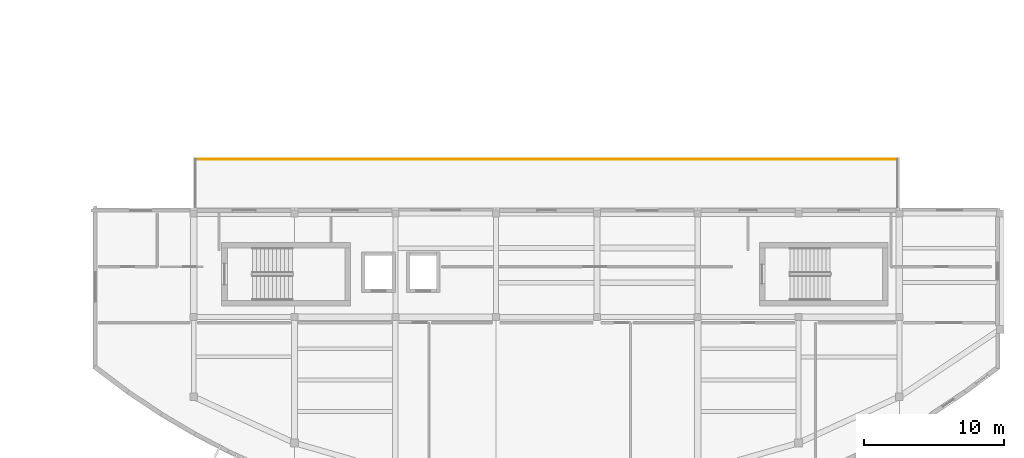
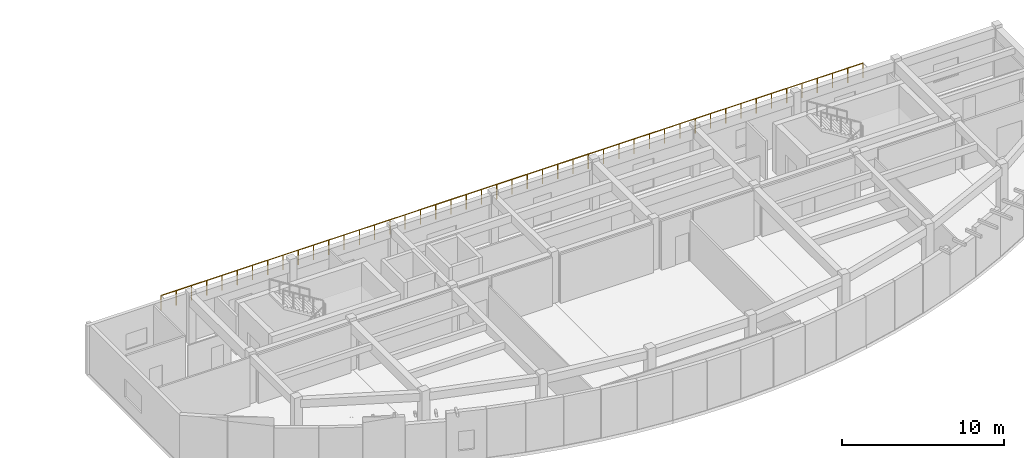
# One storey, part 10 of 11: 1 railing.
"""IFC4 building model written with IfcOpenShell, lengths in metres."""

import ifcopenshell
import ifcopenshell.guid

model = None  # the IFC model being written
_history = None  # IfcOwnerHistory: only IFC2X3 demands one
_inside = {}  # id of a spatial element -> (the spatial element, [elements in it])
_under = {}  # id of a project, library or spatial element -> (it, [spatial elements below it])
_declared = {}  # id of a project -> (the project, [libraries it declares])
_typed = {}  # id of a type object -> (the type object, [elements of that type])
_made_of = {}  # id of a material, layer set ... -> (it, [elements and type objects made of it])


def new_model(schema):
    """Start an empty IFC model of exactly this schema.

    Asked for "IFC4X3", IfcOpenShell would pick the latest addendum, in which some entities
    have other attributes; the version numbers below select the first issue.
    IFC2X3 requires an IfcOwnerHistory on every rooted entity: one is made here for all.
    """
    global model, _history
    if schema == "IFC4X3":
        model = ifcopenshell.file(schema_version=(4, 3, 0, 0))
    else:
        model = ifcopenshell.file(schema=schema)
    _inside.clear()
    _under.clear()
    _declared.clear()
    _typed.clear()
    _made_of.clear()
    _history = None
    if model.schema == "IFC2X3":
        org = make("IfcOrganization", Name="unknown")
        user = make(
            "IfcPersonAndOrganization",
            ThePerson=make("IfcPerson", FamilyName="unknown"),
            TheOrganization=org,
        )
        app = make(
            "IfcApplication",
            ApplicationDeveloper=org,
            Version="unknown",
            ApplicationFullName="unknown",
            ApplicationIdentifier="unknown",
        )
        _history = make(
            "IfcOwnerHistory",
            OwningUser=user,
            OwningApplication=app,
            ChangeAction="ADDED",
            CreationDate=0,
        )
    return model


def make(cls, **values):
    """One entity of the class cls with the attributes given. An attribute that is None is left unset."""
    return model.create_entity(
        cls, **{name: value for name, value in values.items() if value is not None}
    )


def rooted(cls, **values):
    """An entity with a GlobalId (a new one), such as an element, a storey or a relation."""
    return make(cls, GlobalId=ifcopenshell.guid.new(), OwnerHistory=_history, **values)


def si_unit(unit_type, name, prefix=None):
    """IfcSIUnit, for example si_unit("LENGTHUNIT", "METRE", prefix="MILLI")."""
    return make("IfcSIUnit", UnitType=unit_type, Prefix=prefix, Name=name)


def assignment(units):
    """IfcUnitAssignment: the units of a project."""
    return None if units is None else make("IfcUnitAssignment", Units=units)


def point(xyz):
    """IfcCartesianPoint."""
    return None if xyz is None else make("IfcCartesianPoint", Coordinates=xyz)


def direction(xyz):
    """IfcDirection."""
    return None if xyz is None else make("IfcDirection", DirectionRatios=xyz)


def frame(location, z_axis=None, x_axis=None):
    """IfcAxis2Placement3D, a coordinate frame: its origin and axes. An axis left out is left unset."""
    return make(
        "IfcAxis2Placement3D",
        Location=point(location),
        Axis=direction(z_axis),
        RefDirection=direction(x_axis),
    )


def frame_2d(location, x_axis=None):
    """IfcAxis2Placement2D, a coordinate frame in the plane: its origin and x axis."""
    return make(
        "IfcAxis2Placement2D", Location=point(location), RefDirection=direction(x_axis)
    )


def origin():
    """The frame at (0, 0, 0) with its axes left unset."""
    return frame((0.0, 0.0, 0.0))


def origin_2d():
    """The frame at (0, 0) in the plane with its x axis left unset."""
    return frame_2d((0.0, 0.0))


def place(relative_to, where):
    """IfcLocalPlacement: puts the frame where relative to a parent placement (None: the world)."""
    return make(
        "IfcLocalPlacement", PlacementRelTo=relative_to, RelativePlacement=where
    )


def context(
    kind, dimensions, precision=None, world=None, true_north=None, identifier=None
):
    """IfcGeometricRepresentationContext, for example the 3D "Model" context."""
    return make(
        "IfcGeometricRepresentationContext",
        ContextIdentifier=identifier,
        ContextType=kind,
        CoordinateSpaceDimension=dimensions,
        Precision=precision,
        WorldCoordinateSystem=world,
        TrueNorth=true_north,
    )


def subcontext(parent, identifier, kind, view, scale=None):
    """IfcGeometricRepresentationSubContext, for example "Body" below "Model"."""
    return make(
        "IfcGeometricRepresentationSubContext",
        ContextIdentifier=identifier,
        ContextType=kind,
        ParentContext=parent,
        TargetScale=scale,
        TargetView=view,
    )


def project(units=None, contexts=None):
    """IfcProject with its units and contexts."""
    return rooted(
        "IfcProject",
        Name="project",
        RepresentationContexts=contexts,
        UnitsInContext=assignment(units),
    )


def spatial(cls, under=None, at=None, **own):
    """A site, building, storey or space (cls), placed at a placement, below another one or the project."""
    s = rooted(cls, ObjectPlacement=at, **own)
    if under is not None:
        _under.setdefault(under.id(), (under, []))[1].append(s)
    return s


def profile(cls, at=None, kind="AREA", **sizes):
    """A parametric profile (cls). Its sizes go by their IFC names, for example OverallWidth=200.0."""
    return make(cls, ProfileType=kind, Position=at, **sizes)


def circle(**sizes):
    """IfcCircleProfileDef."""
    return profile("IfcCircleProfileDef", **sizes)


def extrude(swept, where, along, depth):
    """IfcExtrudedAreaSolid: the profile swept, set in the frame where, extruded along a direction by depth."""
    return make(
        "IfcExtrudedAreaSolid",
        SweptArea=swept,
        Position=where,
        ExtrudedDirection=direction(along),
        Depth=depth,
    )


def shape(context_of_items, identifier, shape_type, items):
    """IfcShapeRepresentation: the items that make up one representation, for example the "Body"."""
    return make(
        "IfcShapeRepresentation",
        ContextOfItems=context_of_items,
        RepresentationIdentifier=identifier,
        RepresentationType=shape_type,
        Items=items,
    )


def material(Name=None, Category=None):
    """IfcMaterial."""
    return make("IfcMaterial", Name=Name, Category=Category)


def made_of(thing, what):
    """Note that an element or type object is made of a material, layer set ...; save() writes the relation."""
    if what is not None:
        _made_of.setdefault(what.id(), (what, []))[1].append(thing)
    return thing


def type_object(cls, material=None, **own):
    """A type object (cls), such as IfcWallType, which elements share."""
    return made_of(rooted(cls, **own), material)


def element(
    cls,
    number,
    at=None,
    inside=None,
    cuts=None,
    type_object=None,
    material=None,
    context=None,
    identifier="Body",
    shape_type=None,
    held_by="IfcProductDefinitionShape",
    body=None,
    shapes=None,
    **own,
):
    """One element of the class cls, such as IfcWall. Its Tag is "e" and its number.

    at: its placement. inside: the storey or other place that contains it. cuts: it is an
    opening in that element (IfcRelVoidsElement). A single representation is given by context,
    identifier, shape_type and body (its items); several are given by shapes. held_by: the class
    of the entity that holds the representations. save() writes the other relations.
    """
    e = rooted(cls, Tag="e%d" % number, ObjectPlacement=at, **own)
    if body is not None:
        shapes = [shape(context, identifier, shape_type, body)]
    if shapes is not None:
        e.Representation = make(held_by, Representations=shapes)
    if inside is not None:
        _inside.setdefault(inside.id(), (inside, []))[1].append(e)
    if cuts is not None:
        rooted(
            "IfcRelVoidsElement", RelatingBuildingElement=cuts, RelatedOpeningElement=e
        )
    if type_object is not None:
        _typed.setdefault(type_object.id(), (type_object, []))[1].append(e)
    return made_of(e, material)


def aggregate(whole, parts):
    """IfcRelAggregates: a whole, such as a stair, and the parts it consists of."""
    return rooted("IfcRelAggregates", RelatingObject=whole, RelatedObjects=parts)


def save(model, path):
    """Write the relations noted so far, then the file.

    IfcRelAggregates (storeys below a building ...), IfcRelContainedInSpatialStructure (elements
    in a storey), IfcRelDefinesByType, IfcRelAssociatesMaterial and IfcRelDeclares: one each for
    every whole, place, type object, material and project.
    """
    for whole, parts in _under.values():
        aggregate(whole, parts)
    for where, things in _inside.values():
        rooted(
            "IfcRelContainedInSpatialStructure",
            RelatedElements=things,
            RelatingStructure=where,
        )
    for kind, things in _typed.values():
        rooted("IfcRelDefinesByType", RelatedObjects=things, RelatingType=kind)
    for what, things in _made_of.values():
        rooted("IfcRelAssociatesMaterial", RelatedObjects=things, RelatingMaterial=what)
    for by, libraries in _declared.values():
        rooted("IfcRelDeclares", RelatingContext=by, RelatedDefinitions=libraries)
    model.write(path)


model = new_model("IFC4")

# Units and contexts
model_context = context("Model", 3, precision=1e-05, world=origin(), true_north=direction((0.0, 1.0)))
body_context = subcontext(model_context, "Body", "Model", "MODEL_VIEW")
ifc_project = project(units=[si_unit("LENGTHUNIT", "METRE"), si_unit("AREAUNIT", "SQUARE_METRE"), si_unit("VOLUMEUNIT", "CUBIC_METRE"), si_unit("PLANEANGLEUNIT", "RADIAN"), si_unit("MASSUNIT", "GRAM", prefix="KILO")], contexts=[model_context])

# Site, building, storey
site_placement = place(None, origin())
site = spatial("IfcSite", under=ifc_project, at=site_placement, CompositionType="ELEMENT")
building_placement = place(site_placement, origin())
building = spatial("IfcBuilding", under=site, at=building_placement, Name="Brisavento Harbour Community Centre", CompositionType="ELEMENT")
storey_placement = place(building_placement, frame((0.0, 0.0, 16.800048828125)))
storey = spatial("IfcBuildingStorey", under=building, at=storey_placement, Name="L04", CompositionType="ELEMENT", Elevation=16.800048828125)

# Railing
ifc_material = material(Name="Stainless steel 1.4401", Category="steel")
railing_type = type_object("IfcRailingType", Name="RL-TER-GUARD", PredefinedType="GUARDRAIL", material=ifc_material)
railing_placement = place(storey_placement, frame((115.320068359375, 26.280029296875, 0.0)))
element("IfcRailing", 1, at=railing_placement, inside=storey, type_object=railing_type, Name="L04 Courtyard Reading Terrace north guard", PredefinedType="GUARDRAIL", context=body_context, shape_type="SweptSolid", body=[
    extrude(circle(Radius=0.02392578125, at=origin_2d()), frame((0.0, 0.0, 1.09619140625), z_axis=(1.0, 0.0, 0.0), x_axis=(0.0, 1.0, 0.0)), (0.0, 0.0, 1.0), 50.159912109375),
    extrude(circle(Radius=0.02099609375, at=origin_2d()), origin(), (0.0, 0.0, 1.0), 1.072021484375),
    extrude(circle(Radius=0.02099609375, at=origin_2d()), frame((1.09033203125, 0.0, 0.0)), (0.0, 0.0, 1.0), 1.072021484375),
    extrude(circle(Radius=0.02099609375, at=origin_2d()), frame((2.180908203125, 0.0, 0.0)), (0.0, 0.0, 1.0), 1.072021484375),
    extrude(circle(Radius=0.02099609375, at=origin_2d()), frame((3.271240234375, 0.0, 0.0)), (0.0, 0.0, 1.0), 1.072021484375),
    extrude(circle(Radius=0.02099609375, at=origin_2d()), frame((4.36181640625, 0.0, 0.0)), (0.0, 0.0, 1.0), 1.072021484375),
    extrude(circle(Radius=0.02099609375, at=origin_2d()), frame((5.4521484375, 0.0, 0.0)), (0.0, 0.0, 1.0), 1.072021484375),
    extrude(circle(Radius=0.02099609375, at=origin_2d()), frame((6.54248046875, 0.0, 0.0)), (0.0, 0.0, 1.0), 1.072021484375),
    extrude(circle(Radius=0.02099609375, at=origin_2d()), frame((7.633056640625, 0.0, 0.0)), (0.0, 0.0, 1.0), 1.072021484375),
    extrude(circle(Radius=0.02099609375, at=origin_2d()), frame((8.723388671875, 0.0, 0.0)), (0.0, 0.0, 1.0), 1.072021484375),
    extrude(circle(Radius=0.02099609375, at=origin_2d()), frame((9.81396484375, 0.0, 0.0)), (0.0, 0.0, 1.0), 1.072021484375),
    extrude(circle(Radius=0.02099609375, at=origin_2d()), frame((10.904296875, 0.0, 0.0)), (0.0, 0.0, 1.0), 1.072021484375),
    extrude(circle(Radius=0.02099609375, at=origin_2d()), frame((11.994873046875, 0.0, 0.0)), (0.0, 0.0, 1.0), 1.072021484375),
    extrude(circle(Radius=0.02099609375, at=origin_2d()), frame((13.085205078125, 0.0, 0.0)), (0.0, 0.0, 1.0), 1.072021484375),
    extrude(circle(Radius=0.02099609375, at=origin_2d()), frame((14.175537109375, 0.0, 0.0)), (0.0, 0.0, 1.0), 1.072021484375),
    extrude(circle(Radius=0.02099609375, at=origin_2d()), frame((15.26611328125, 0.0, 0.0)), (0.0, 0.0, 1.0), 1.072021484375),
    extrude(circle(Radius=0.02099609375, at=origin_2d()), frame((16.3564453125, 0.0, 0.0)), (0.0, 0.0, 1.0), 1.072021484375),
    extrude(circle(Radius=0.02099609375, at=origin_2d()), frame((17.447021484375, 0.0, 0.0)), (0.0, 0.0, 1.0), 1.072021484375),
    extrude(circle(Radius=0.02099609375, at=origin_2d()), frame((18.537353515625, 0.0, 0.0)), (0.0, 0.0, 1.0), 1.072021484375),
    extrude(circle(Radius=0.02099609375, at=origin_2d()), frame((19.627685546875, 0.0, 0.0)), (0.0, 0.0, 1.0), 1.072021484375),
    extrude(circle(Radius=0.02099609375, at=origin_2d()), frame((20.71826171875, 0.0, 0.0)), (0.0, 0.0, 1.0), 1.072021484375),
    extrude(circle(Radius=0.02099609375, at=origin_2d()), frame((21.80859375, 0.0, 0.0)), (0.0, 0.0, 1.0), 1.072021484375),
    extrude(circle(Radius=0.02099609375, at=origin_2d()), frame((22.899169921875, 0.0, 0.0)), (0.0, 0.0, 1.0), 1.072021484375),
    extrude(circle(Radius=0.02099609375, at=origin_2d()), frame((23.989501953125, 0.0, 0.0)), (0.0, 0.0, 1.0), 1.072021484375),
    extrude(circle(Radius=0.02099609375, at=origin_2d()), frame((25.080078125, 0.0, 0.0)), (0.0, 0.0, 1.0), 1.072021484375),
    extrude(circle(Radius=0.02099609375, at=origin_2d()), frame((26.17041015625, 0.0, 0.0)), (0.0, 0.0, 1.0), 1.072021484375),
    extrude(circle(Radius=0.02099609375, at=origin_2d()), frame((27.2607421875, 0.0, 0.0)), (0.0, 0.0, 1.0), 1.072021484375),
    extrude(circle(Radius=0.02099609375, at=origin_2d()), frame((28.351318359375, 0.0, 0.0)), (0.0, 0.0, 1.0), 1.072021484375),
    extrude(circle(Radius=0.02099609375, at=origin_2d()), frame((29.441650390625, 0.0, 0.0)), (0.0, 0.0, 1.0), 1.072021484375),
    extrude(circle(Radius=0.02099609375, at=origin_2d()), frame((30.5322265625, 0.0, 0.0)), (0.0, 0.0, 1.0), 1.072021484375),
    extrude(circle(Radius=0.02099609375, at=origin_2d()), frame((31.62255859375, 0.0, 0.0)), (0.0, 0.0, 1.0), 1.072021484375),
    extrude(circle(Radius=0.02099609375, at=origin_2d()), frame((32.712890625, 0.0, 0.0)), (0.0, 0.0, 1.0), 1.072021484375),
    extrude(circle(Radius=0.02099609375, at=origin_2d()), frame((33.803466796875, 0.0, 0.0)), (0.0, 0.0, 1.0), 1.072021484375),
    extrude(circle(Radius=0.02099609375, at=origin_2d()), frame((34.893798828125, 0.0, 0.0)), (0.0, 0.0, 1.0), 1.072021484375),
    extrude(circle(Radius=0.02099609375, at=origin_2d()), frame((35.984375, 0.0, 0.0)), (0.0, 0.0, 1.0), 1.072021484375),
    extrude(circle(Radius=0.02099609375, at=origin_2d()), frame((37.07470703125, 0.0, 0.0)), (0.0, 0.0, 1.0), 1.072021484375),
    extrude(circle(Radius=0.02099609375, at=origin_2d()), frame((38.1650390625, 0.0, 0.0)), (0.0, 0.0, 1.0), 1.072021484375),
    extrude(circle(Radius=0.02099609375, at=origin_2d()), frame((39.255615234375, 0.0, 0.0)), (0.0, 0.0, 1.0), 1.072021484375),
    extrude(circle(Radius=0.02099609375, at=origin_2d()), frame((40.345947265625, 0.0, 0.0)), (0.0, 0.0, 1.0), 1.072021484375),
    extrude(circle(Radius=0.02099609375, at=origin_2d()), frame((41.4365234375, 0.0, 0.0)), (0.0, 0.0, 1.0), 1.072021484375),
    extrude(circle(Radius=0.02099609375, at=origin_2d()), frame((42.52685546875, 0.0, 0.0)), (0.0, 0.0, 1.0), 1.072021484375),
    extrude(circle(Radius=0.02099609375, at=origin_2d()), frame((43.617431640625, 0.0, 0.0)), (0.0, 0.0, 1.0), 1.072021484375),
    extrude(circle(Radius=0.02099609375, at=origin_2d()), frame((44.707763671875, 0.0, 0.0)), (0.0, 0.0, 1.0), 1.072021484375),
    extrude(circle(Radius=0.02099609375, at=origin_2d()), frame((45.798095703125, 0.0, 0.0)), (0.0, 0.0, 1.0), 1.072021484375),
    extrude(circle(Radius=0.02099609375, at=origin_2d()), frame((46.888671875, 0.0, 0.0)), (0.0, 0.0, 1.0), 1.072021484375),
    extrude(circle(Radius=0.02099609375, at=origin_2d()), frame((47.97900390625, 0.0, 0.0)), (0.0, 0.0, 1.0), 1.072021484375),
    extrude(circle(Radius=0.02099609375, at=origin_2d()), frame((49.069580078125, 0.0, 0.0)), (0.0, 0.0, 1.0), 1.072021484375),
    extrude(circle(Radius=0.02099609375, at=origin_2d()), frame((50.159912109375, 0.0, 0.0)), (0.0, 0.0, 1.0), 1.072021484375),
])

save(model, "model.ifc")
